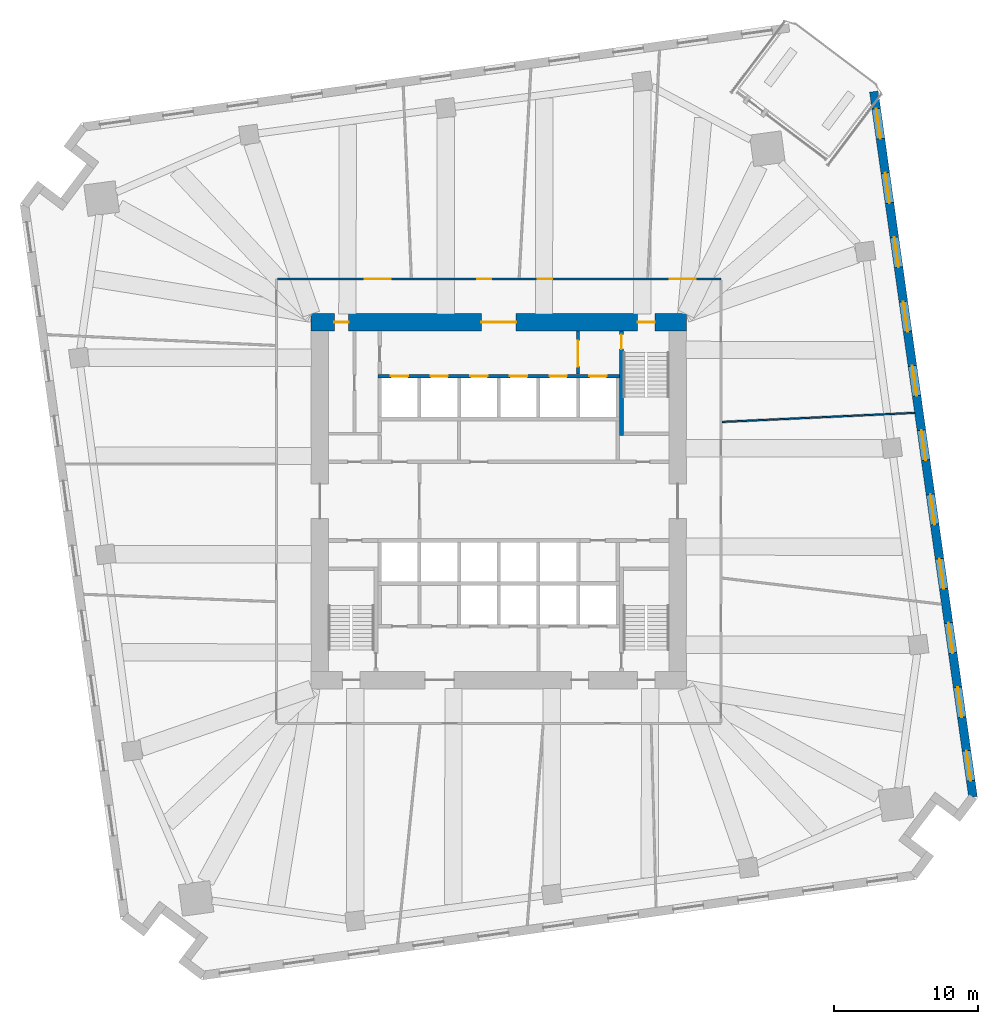
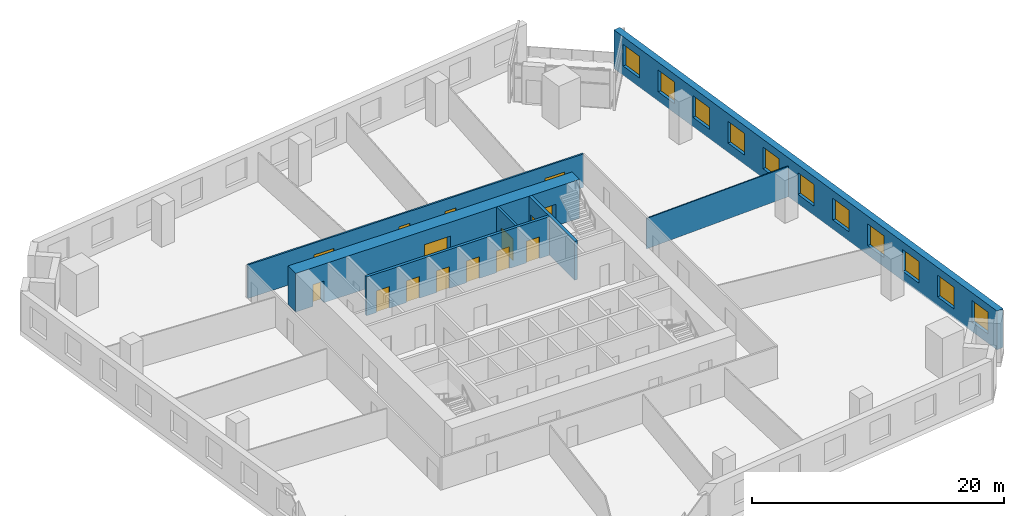
# One storey, part 9 of 12: 15 doors, 11 windows, 7 walls, 26 openings.
"""IFC4 building model written with IfcOpenShell, lengths in metres."""

import ifcopenshell
import ifcopenshell.guid

model = None  # the IFC model being written
_history = None  # IfcOwnerHistory: only IFC2X3 demands one
_inside = {}  # id of a spatial element -> (the spatial element, [elements in it])
_under = {}  # id of a project, library or spatial element -> (it, [spatial elements below it])
_declared = {}  # id of a project -> (the project, [libraries it declares])
_typed = {}  # id of a type object -> (the type object, [elements of that type])
_made_of = {}  # id of a material, layer set ... -> (it, [elements and type objects made of it])


def new_model(schema):
    """Start an empty IFC model of exactly this schema.

    Asked for "IFC4X3", IfcOpenShell would pick the latest addendum, in which some entities
    have other attributes; the version numbers below select the first issue.
    IFC2X3 requires an IfcOwnerHistory on every rooted entity: one is made here for all.
    """
    global model, _history
    if schema == "IFC4X3":
        model = ifcopenshell.file(schema_version=(4, 3, 0, 0))
    else:
        model = ifcopenshell.file(schema=schema)
    _inside.clear()
    _under.clear()
    _declared.clear()
    _typed.clear()
    _made_of.clear()
    _history = None
    if model.schema == "IFC2X3":
        org = make("IfcOrganization", Name="unknown")
        user = make(
            "IfcPersonAndOrganization",
            ThePerson=make("IfcPerson", FamilyName="unknown"),
            TheOrganization=org,
        )
        app = make(
            "IfcApplication",
            ApplicationDeveloper=org,
            Version="unknown",
            ApplicationFullName="unknown",
            ApplicationIdentifier="unknown",
        )
        _history = make(
            "IfcOwnerHistory",
            OwningUser=user,
            OwningApplication=app,
            ChangeAction="ADDED",
            CreationDate=0,
        )
    return model


def make(cls, **values):
    """One entity of the class cls with the attributes given. An attribute that is None is left unset."""
    return model.create_entity(
        cls, **{name: value for name, value in values.items() if value is not None}
    )


def rooted(cls, **values):
    """An entity with a GlobalId (a new one), such as an element, a storey or a relation."""
    return make(cls, GlobalId=ifcopenshell.guid.new(), OwnerHistory=_history, **values)


def si_unit(unit_type, name, prefix=None):
    """IfcSIUnit, for example si_unit("LENGTHUNIT", "METRE", prefix="MILLI")."""
    return make("IfcSIUnit", UnitType=unit_type, Prefix=prefix, Name=name)


def assignment(units):
    """IfcUnitAssignment: the units of a project."""
    return None if units is None else make("IfcUnitAssignment", Units=units)


def point(xyz):
    """IfcCartesianPoint."""
    return None if xyz is None else make("IfcCartesianPoint", Coordinates=xyz)


def direction(xyz):
    """IfcDirection."""
    return None if xyz is None else make("IfcDirection", DirectionRatios=xyz)


def frame(location, z_axis=None, x_axis=None):
    """IfcAxis2Placement3D, a coordinate frame: its origin and axes. An axis left out is left unset."""
    return make(
        "IfcAxis2Placement3D",
        Location=point(location),
        Axis=direction(z_axis),
        RefDirection=direction(x_axis),
    )


def frame_2d(location, x_axis=None):
    """IfcAxis2Placement2D, a coordinate frame in the plane: its origin and x axis."""
    return make(
        "IfcAxis2Placement2D", Location=point(location), RefDirection=direction(x_axis)
    )


def origin():
    """The frame at (0, 0, 0) with its axes left unset."""
    return frame((0.0, 0.0, 0.0))


def place(relative_to, where):
    """IfcLocalPlacement: puts the frame where relative to a parent placement (None: the world)."""
    return make(
        "IfcLocalPlacement", PlacementRelTo=relative_to, RelativePlacement=where
    )


def context(
    kind, dimensions, precision=None, world=None, true_north=None, identifier=None
):
    """IfcGeometricRepresentationContext, for example the 3D "Model" context."""
    return make(
        "IfcGeometricRepresentationContext",
        ContextIdentifier=identifier,
        ContextType=kind,
        CoordinateSpaceDimension=dimensions,
        Precision=precision,
        WorldCoordinateSystem=world,
        TrueNorth=true_north,
    )


def subcontext(parent, identifier, kind, view, scale=None):
    """IfcGeometricRepresentationSubContext, for example "Body" below "Model"."""
    return make(
        "IfcGeometricRepresentationSubContext",
        ContextIdentifier=identifier,
        ContextType=kind,
        ParentContext=parent,
        TargetScale=scale,
        TargetView=view,
    )


def project(units=None, contexts=None):
    """IfcProject with its units and contexts."""
    return rooted(
        "IfcProject",
        Name="project",
        RepresentationContexts=contexts,
        UnitsInContext=assignment(units),
    )


def spatial(cls, under=None, at=None, **own):
    """A site, building, storey or space (cls), placed at a placement, below another one or the project."""
    s = rooted(cls, ObjectPlacement=at, **own)
    if under is not None:
        _under.setdefault(under.id(), (under, []))[1].append(s)
    return s


def profile(cls, at=None, kind="AREA", **sizes):
    """A parametric profile (cls). Its sizes go by their IFC names, for example OverallWidth=200.0."""
    return make(cls, ProfileType=kind, Position=at, **sizes)


def rectangle(**sizes):
    """IfcRectangleProfileDef."""
    return profile("IfcRectangleProfileDef", **sizes)


def extrude(swept, where, along, depth):
    """IfcExtrudedAreaSolid: the profile swept, set in the frame where, extruded along a direction by depth."""
    return make(
        "IfcExtrudedAreaSolid",
        SweptArea=swept,
        Position=where,
        ExtrudedDirection=direction(along),
        Depth=depth,
    )


def shape(context_of_items, identifier, shape_type, items):
    """IfcShapeRepresentation: the items that make up one representation, for example the "Body"."""
    return make(
        "IfcShapeRepresentation",
        ContextOfItems=context_of_items,
        RepresentationIdentifier=identifier,
        RepresentationType=shape_type,
        Items=items,
    )


def material(Name=None, Category=None):
    """IfcMaterial."""
    return make("IfcMaterial", Name=Name, Category=Category)


def layer(
    of_material, thickness, ventilated=None, Name=None, Category=None, Priority=None
):
    """IfcMaterialLayer: one layer of a wall or slab, of a material (None: an air gap)."""
    return make(
        "IfcMaterialLayer",
        Material=of_material,
        LayerThickness=thickness,
        IsVentilated=ventilated,
        Name=Name,
        Category=Category,
        Priority=Priority,
    )


def layer_set(layers, Name=None):
    """IfcMaterialLayerSet."""
    return make("IfcMaterialLayerSet", MaterialLayers=layers, LayerSetName=Name)


def made_of(thing, what):
    """Note that an element or type object is made of a material, layer set ...; save() writes the relation."""
    if what is not None:
        _made_of.setdefault(what.id(), (what, []))[1].append(thing)
    return thing


def type_object(cls, material=None, **own):
    """A type object (cls), such as IfcWallType, which elements share."""
    return made_of(rooted(cls, **own), material)


def element(
    cls,
    number,
    at=None,
    inside=None,
    cuts=None,
    type_object=None,
    material=None,
    context=None,
    identifier="Body",
    shape_type=None,
    held_by="IfcProductDefinitionShape",
    body=None,
    shapes=None,
    **own,
):
    """One element of the class cls, such as IfcWall. Its Tag is "e" and its number.

    at: its placement. inside: the storey or other place that contains it. cuts: it is an
    opening in that element (IfcRelVoidsElement). A single representation is given by context,
    identifier, shape_type and body (its items); several are given by shapes. held_by: the class
    of the entity that holds the representations. save() writes the other relations.
    """
    e = rooted(cls, Tag="e%d" % number, ObjectPlacement=at, **own)
    if body is not None:
        shapes = [shape(context, identifier, shape_type, body)]
    if shapes is not None:
        e.Representation = make(held_by, Representations=shapes)
    if inside is not None:
        _inside.setdefault(inside.id(), (inside, []))[1].append(e)
    if cuts is not None:
        rooted(
            "IfcRelVoidsElement", RelatingBuildingElement=cuts, RelatedOpeningElement=e
        )
    if type_object is not None:
        _typed.setdefault(type_object.id(), (type_object, []))[1].append(e)
    return made_of(e, material)


def fill(opening, filler):
    """IfcRelFillsElement: the door or window that sits in an opening."""
    return rooted(
        "IfcRelFillsElement",
        RelatingOpeningElement=opening,
        RelatedBuildingElement=filler,
    )


def aggregate(whole, parts):
    """IfcRelAggregates: a whole, such as a stair, and the parts it consists of."""
    return rooted("IfcRelAggregates", RelatingObject=whole, RelatedObjects=parts)


def save(model, path):
    """Write the relations noted so far, then the file.

    IfcRelAggregates (storeys below a building ...), IfcRelContainedInSpatialStructure (elements
    in a storey), IfcRelDefinesByType, IfcRelAssociatesMaterial and IfcRelDeclares: one each for
    every whole, place, type object, material and project.
    """
    for whole, parts in _under.values():
        aggregate(whole, parts)
    for where, things in _inside.values():
        rooted(
            "IfcRelContainedInSpatialStructure",
            RelatedElements=things,
            RelatingStructure=where,
        )
    for kind, things in _typed.values():
        rooted("IfcRelDefinesByType", RelatedObjects=things, RelatingType=kind)
    for what, things in _made_of.values():
        rooted("IfcRelAssociatesMaterial", RelatedObjects=things, RelatingMaterial=what)
    for by, libraries in _declared.values():
        rooted("IfcRelDeclares", RelatingContext=by, RelatedDefinitions=libraries)
    model.write(path)


model = new_model("IFC4")

# Units and contexts
model_context = context("Model", 3, precision=1e-05, world=origin(), true_north=direction((0.0, 1.0)))
body_context = subcontext(model_context, "Body", "Model", "MODEL_VIEW")
ifc_project = project(units=[si_unit("LENGTHUNIT", "METRE"), si_unit("AREAUNIT", "SQUARE_METRE"), si_unit("VOLUMEUNIT", "CUBIC_METRE"), si_unit("PLANEANGLEUNIT", "RADIAN"), si_unit("MASSUNIT", "GRAM", prefix="KILO")], contexts=[model_context])

# Site, building, storey
site_placement = place(None, origin())
site = spatial("IfcSite", under=ifc_project, at=site_placement, CompositionType="ELEMENT")
building_placement = place(site_placement, origin())
building = spatial("IfcBuilding", under=site, at=building_placement, Name="Dilmun Exchange Tower", CompositionType="ELEMENT")
storey_placement = place(building_placement, frame((0.0, 0.0, 55.5)))
storey = spatial("IfcBuildingStorey", under=building, at=storey_placement, Name="L12", CompositionType="ELEMENT", Elevation=55.5)

# Wall, opening, door
ifc_material_1 = material(Name="Concrete C40/50", Category="concrete")
ifc_layer_1 = layer(ifc_material_1, 0.199951171875)
ifc_layer_set_1 = layer_set([ifc_layer_1], Name="Concrete C40/50")
wall_type_1 = type_object("IfcWallType", Name="Core partition wall 200", PredefinedType="PARTITIONING", material=ifc_layer_set_1)
wall_1_placement = place(storey_placement, frame((5.5, 8.804931640625, 0.0), z_axis=(0.0, 0.0, 1.0), x_axis=(0.0, 1.0, 0.0)))
wall_1 = element("IfcWall", 1, at=wall_1_placement, inside=storey, type_object=wall_type_1, Name="L12 core partition wall 17", PredefinedType="PARTITIONING", context=body_context, shape_type="SweptSolid", body=[
    extrude(rectangle(XDim=2.989990234375, YDim=0.199951171875, at=frame_2d((1.4951171875, 0.0))), origin(), (0.0, 0.0, 1.0), 3.75),
])
opening_1_placement = place(wall_1_placement, frame((0.532470703125, 0.0, 0.0)))
opening_1 = element("IfcOpeningElement", 2, at=opening_1_placement, cuts=wall_1, Name="Opening CD5", PredefinedType="OPENING", context=body_context, shape_type="SweptSolid", body=[
    extrude(rectangle(XDim=1.800048828125, YDim=2.10009765625, at=frame_2d((0.89990234375, 1.050048828125))), frame((0.0, 0.10986328125, 0.0), z_axis=(0.0, -1.0, 0.0), x_axis=(1.0, 0.0, 0.0)), (0.0, 0.0, 1.0), 0.219970703125),
])
ifc_material_2 = material(Name="Fire-rated steel door set", Category="steel")
door_type_1 = type_object("IfcDoorType", Name="Stair exit door 1800x2100", OperationType="SINGLE_SWING_LEFT", PredefinedType="DOOR", material=ifc_material_2)
door_1_placement = place(opening_1_placement, origin())
door_1 = element("IfcDoor", 3, at=door_1_placement, inside=storey, type_object=door_type_1, Name="L12 door Lift lobby east", OperationType="SINGLE_SWING_LEFT", OverallHeight=2.10009765625, OverallWidth=1.800048828125, PredefinedType="DOOR", context=body_context, shape_type="SweptSolid", body=[
    extrude(rectangle(XDim=1.800048828125, YDim=2.10009765625, at=frame_2d((0.89990234375, 1.050048828125))), frame((0.0, 0.02490234375, 0.0), z_axis=(0.0, -1.0, 0.0), x_axis=(1.0, 0.0, 0.0)), (0.0, 0.0, 1.0), 0.050048828125),
])
fill(opening_1, door_1)

# Wall, openings, doors
ifc_material_3 = material(Name="Concrete C80/95", Category="concrete")
ifc_layer_2 = layer(ifc_material_3, 1.199951171875)
ifc_layer_set_2 = layer_set([ifc_layer_2], Name="Concrete C80/95")
wall_type_2 = type_object("IfcWallType", Name="Core shear wall 1200 Concrete C80/95", PredefinedType="SHEAR", material=ifc_layer_set_2)
wall_2_placement = place(storey_placement, frame((-13.0, 12.39990234375, 0.0), z_axis=(0.0, 0.0, 1.0), x_axis=(1.0, 0.0, 0.0)))
wall_2 = element("IfcWall", 4, at=wall_2_placement, inside=storey, type_object=wall_type_2, Name="L12 core shear wall N", PredefinedType="SHEAR", context=body_context, shape_type="SweptSolid", body=[
    extrude(rectangle(XDim=26.0, YDim=1.199951171875, at=frame_2d((13.0, 0.0))), origin(), (0.0, 0.0, 1.0), 3.75),
])
opening_2_placement = place(wall_2_placement, frame((11.800048828125, 0.0, 0.0)))
opening_2 = element("IfcOpeningElement", 5, at=opening_2_placement, cuts=wall_2, Name="Opening CD1", PredefinedType="OPENING", context=body_context, shape_type="SweptSolid", body=[
    extrude(rectangle(XDim=2.39990234375, YDim=2.39990234375, at=frame_2d((1.199951171875, 1.199951171875))), frame((0.0, 0.60986328125, 0.0), z_axis=(0.0, -1.0, 0.0), x_axis=(1.0, 0.0, 0.0)), (0.0, 0.0, 1.0), 1.219970703125),
])
opening_3_placement = place(wall_2_placement, frame((22.625, 0.0, 0.0)))
opening_3 = element("IfcOpeningElement", 6, at=opening_3_placement, cuts=wall_2, Name="Opening CD3", PredefinedType="OPENING", context=body_context, shape_type="SweptSolid", body=[
    extrude(rectangle(XDim=1.199951171875, YDim=2.10009765625, at=frame_2d((0.60009765625, 1.050048828125))), frame((0.0, 0.60986328125, 0.0), z_axis=(0.0, -1.0, 0.0), x_axis=(1.0, 0.0, 0.0)), (0.0, 0.0, 1.0), 1.219970703125),
])
opening_4_placement = place(wall_2_placement, frame((1.60009765625, 0.0, 0.0)))
opening_4 = element("IfcOpeningElement", 7, at=opening_4_placement, cuts=wall_2, Name="Opening CD4", PredefinedType="OPENING", context=body_context, shape_type="SweptSolid", body=[
    extrude(rectangle(XDim=1.0, YDim=2.10009765625, at=frame_2d((0.5, 1.050048828125))), frame((0.0, 0.60986328125, 0.0), z_axis=(0.0, -1.0, 0.0), x_axis=(1.0, 0.0, 0.0)), (0.0, 0.0, 1.0), 1.219970703125),
])
door_type_2 = type_object("IfcDoorType", Name="Core lobby door 2400x2400", OperationType="DOUBLE_DOOR_DOUBLE_SWING", PredefinedType="DOOR", material=ifc_material_2)
door_2_placement = place(opening_2_placement, origin())
door_2 = element("IfcDoor", 8, at=door_2_placement, inside=storey, type_object=door_type_2, Name="L12 door North lift lobby", OperationType="SINGLE_SWING_LEFT", OverallHeight=2.39990234375, OverallWidth=2.39990234375, PredefinedType="DOOR", context=body_context, shape_type="SweptSolid", body=[
    extrude(rectangle(XDim=2.39990234375, YDim=2.39990234375, at=frame_2d((1.199951171875, 1.199951171875))), frame((0.0, 0.02490234375, 0.0), z_axis=(0.0, -1.0, 0.0), x_axis=(1.0, 0.0, 0.0)), (0.0, 0.0, 1.0), 0.050048828125),
])
fill(opening_2, door_2)
door_type_3 = type_object("IfcDoorType", Name="Core room door 1000x2100", OperationType="SINGLE_SWING_LEFT", PredefinedType="DOOR", material=ifc_material_2)
door_3_placement = place(opening_4_placement, origin())
door_3 = element("IfcDoor", 9, at=door_3_placement, inside=storey, type_object=door_type_3, Name="L12 door North-west core rooms", OperationType="SINGLE_SWING_LEFT", OverallHeight=2.10009765625, OverallWidth=1.0, PredefinedType="DOOR", context=body_context, shape_type="SweptSolid", body=[
    extrude(rectangle(XDim=1.0, YDim=2.10009765625, at=frame_2d((0.5, 1.050048828125))), frame((0.0, 0.02490234375, 0.0), z_axis=(0.0, -1.0, 0.0), x_axis=(1.0, 0.0, 0.0)), (0.0, 0.0, 1.0), 0.050048828125),
])
fill(opening_4, door_3)
door_type_4 = type_object("IfcDoorType", Name="Stair exit door 1200x2100", OperationType="SINGLE_SWING_LEFT", PredefinedType="DOOR", material=ifc_material_2)
door_4_placement = place(opening_3_placement, origin())
door_4 = element("IfcDoor", 10, at=door_4_placement, inside=storey, type_object=door_type_4, Name="L12 door Stair ST1", OperationType="SINGLE_SWING_LEFT", OverallHeight=2.10009765625, OverallWidth=1.199951171875, PredefinedType="DOOR", context=body_context, shape_type="SweptSolid", body=[
    extrude(rectangle(XDim=1.199951171875, YDim=2.10009765625, at=frame_2d((0.60009765625, 1.050048828125))), frame((0.0, 0.02490234375, 0.0), z_axis=(0.0, -1.0, 0.0), x_axis=(1.0, 0.0, 0.0)), (0.0, 0.0, 1.0), 0.050048828125),
])
fill(opening_3, door_4)

ifc_material_4 = material(Name="Corridor wall 150")
ifc_layer_3 = layer(ifc_material_4, 0.14990234375)
ifc_layer_set_3 = layer_set([ifc_layer_3], Name="Corridor wall 150")
wall_type_3 = type_object("IfcWallType", Name="Corridor wall 150", PredefinedType="PARTITIONING", material=ifc_layer_set_3)
wall_3_placement = place(storey_placement, frame((-15.324951171875, 15.39990234375, 0.0), z_axis=(0.0, 0.0, 1.0), x_axis=(1.0, 0.0, 0.0)))
wall_3 = element("IfcWall", 11, at=wall_3_placement, inside=storey, type_object=wall_type_3, Name="Corridor wall", PredefinedType="PARTITIONING", context=body_context, shape_type="SweptSolid", body=[
    extrude(rectangle(XDim=30.724853515625, YDim=0.14990234375, at=frame_2d((15.3623046875, 0.0))), origin(), (0.0, 0.0, 1.0), 3.25),
])
opening_5_placement = place(wall_3_placement, frame((6.050048828125, 0.0, 0.0)))
opening_5 = element("IfcOpeningElement", 12, at=opening_5_placement, cuts=wall_3, Name="Opening TF11-D03", PredefinedType="OPENING", context=body_context, shape_type="SweptSolid", body=[
    extrude(rectangle(XDim=1.800048828125, YDim=2.10009765625, at=frame_2d((0.89990234375, 1.050048828125))), frame((0.0, 0.0849609375, 0.0), z_axis=(0.0, -1.0, 0.0), x_axis=(1.0, 0.0, 0.0)), (0.0, 0.0, 1.0), 0.169921875),
])
opening_6_placement = place(wall_3_placement, frame((13.81640625, 0.0, 0.0)))
opening_6 = element("IfcOpeningElement", 13, at=opening_6_placement, cuts=wall_3, Name="Opening TF11-D07", PredefinedType="OPENING", context=body_context, shape_type="SweptSolid", body=[
    extrude(rectangle(XDim=1.0, YDim=2.10009765625, at=frame_2d((0.5, 1.050048828125))), frame((0.0, 0.0849609375, 0.0), z_axis=(0.0, -1.0, 0.0), x_axis=(1.0, 0.0, 0.0)), (0.0, 0.0, 1.0), 0.169921875),
])
opening_7_placement = place(wall_3_placement, frame((18.0341796875, 0.0, 0.0)))
opening_7 = element("IfcOpeningElement", 14, at=opening_7_placement, cuts=wall_3, Name="Opening TF11-D09", PredefinedType="OPENING", context=body_context, shape_type="SweptSolid", body=[
    extrude(rectangle(XDim=1.0, YDim=2.10009765625, at=frame_2d((0.5, 1.050048828125))), frame((0.0, 0.0849609375, 0.0), z_axis=(0.0, -1.0, 0.0), x_axis=(1.0, 0.0, 0.0)), (0.0, 0.0, 1.0), 0.169921875),
])
opening_8_placement = place(wall_3_placement, frame((27.192626953125, 0.0, 0.0)))
opening_8 = element("IfcOpeningElement", 15, at=opening_8_placement, cuts=wall_3, Name="Opening TF11-D11", PredefinedType="OPENING", context=body_context, shape_type="SweptSolid", body=[
    extrude(rectangle(XDim=1.800048828125, YDim=2.10009765625, at=frame_2d((0.89990234375, 1.050048828125))), frame((0.0, 0.0849609375, 0.0), z_axis=(0.0, -1.0, 0.0), x_axis=(1.0, 0.0, 0.0)), (0.0, 0.0, 1.0), 0.169921875),
])
ifc_material_5 = material(Name="Fire door 1000 x 2100")
door_type_5 = type_object("IfcDoorType", Name="Fire door 1000 x 2100", OperationType="NOTDEFINED", PredefinedType="DOOR", material=ifc_material_5)
door_5_placement = place(opening_6_placement, origin())
door_5 = element("IfcDoor", 16, at=door_5_placement, inside=storey, type_object=door_type_5, Name="Door TF11-D07", OperationType="SINGLE_SWING_RIGHT", OverallHeight=2.10009765625, OverallWidth=1.0, PredefinedType="DOOR", context=body_context, shape_type="SweptSolid", body=[
    extrude(rectangle(XDim=1.0, YDim=2.10009765625, at=frame_2d((0.5, 1.050048828125))), frame((0.0, 0.02490234375, 0.0), z_axis=(0.0, -1.0, 0.0), x_axis=(1.0, 0.0, 0.0)), (0.0, 0.0, 1.0), 0.050048828125),
])
fill(opening_6, door_5)
door_6_placement = place(opening_7_placement, origin())
door_6 = element("IfcDoor", 17, at=door_6_placement, inside=storey, type_object=door_type_5, Name="Door TF11-D09", OperationType="SINGLE_SWING_LEFT", OverallHeight=2.10009765625, OverallWidth=1.0, PredefinedType="DOOR", context=body_context, shape_type="SweptSolid", body=[
    extrude(rectangle(XDim=1.0, YDim=2.10009765625, at=frame_2d((0.5, 1.050048828125))), frame((0.0, 0.02490234375, 0.0), z_axis=(0.0, -1.0, 0.0), x_axis=(1.0, 0.0, 0.0)), (0.0, 0.0, 1.0), 0.050048828125),
])
fill(opening_7, door_6)
ifc_material_6 = material(Name="Fire door pair 1800 x 2100")
door_type_6 = type_object("IfcDoorType", Name="Fire door pair 1800 x 2100", OperationType="NOTDEFINED", PredefinedType="DOOR", material=ifc_material_6)
door_7_placement = place(opening_5_placement, origin())
door_7 = element("IfcDoor", 18, at=door_7_placement, inside=storey, type_object=door_type_6, Name="Door TF11-D03", OperationType="DOUBLE_DOOR_SINGLE_SWING", OverallHeight=2.10009765625, OverallWidth=1.800048828125, PredefinedType="DOOR", context=body_context, shape_type="SweptSolid", body=[
    extrude(rectangle(XDim=1.800048828125, YDim=2.10009765625, at=frame_2d((0.89990234375, 1.050048828125))), frame((0.0, 0.02490234375, 0.0), z_axis=(0.0, -1.0, 0.0), x_axis=(1.0, 0.0, 0.0)), (0.0, 0.0, 1.0), 0.050048828125),
])
fill(opening_5, door_7)
door_8_placement = place(opening_8_placement, origin())
door_8 = element("IfcDoor", 19, at=door_8_placement, inside=storey, type_object=door_type_6, Name="Door TF11-D11", OperationType="DOUBLE_DOOR_SINGLE_SWING", OverallHeight=2.10009765625, OverallWidth=1.800048828125, PredefinedType="DOOR", context=body_context, shape_type="SweptSolid", body=[
    extrude(rectangle(XDim=1.800048828125, YDim=2.10009765625, at=frame_2d((0.89990234375, 1.050048828125))), frame((0.0, 0.02490234375, 0.0), z_axis=(0.0, -1.0, 0.0), x_axis=(1.0, 0.0, 0.0)), (0.0, 0.0, 1.0), 0.050048828125),
])
fill(opening_8, door_8)

ifc_layer_4 = layer(ifc_material_1, 0.25)
ifc_layer_set_4 = layer_set([ifc_layer_4], Name="Concrete C40/50")
wall_type_4 = type_object("IfcWallType", Name="Lift shaft wall 250", PredefinedType="SOLIDWALL", material=ifc_layer_set_4)
wall_4_placement = place(storey_placement, frame((-8.375, 8.675048828125, 0.0), z_axis=(0.0, 0.0, 1.0), x_axis=(1.0, 0.0, 0.0)))
wall_4 = element("IfcWall", 20, at=wall_4_placement, inside=storey, type_object=wall_type_4, Name="L12 lift shaft front wall N2", PredefinedType="SOLIDWALL", context=body_context, shape_type="SweptSolid", body=[
    extrude(rectangle(XDim=16.75, YDim=0.25, at=frame_2d((8.375, 0.0))), origin(), (0.0, 0.0, 1.0), 3.75),
])
opening_9_placement = place(wall_4_placement, frame((0.89990234375, 0.0, 0.0)))
opening_9 = element("IfcOpeningElement", 21, at=opening_9_placement, cuts=wall_4, Name="Opening LD", PredefinedType="OPENING", context=body_context, shape_type="SweptSolid", body=[
    extrude(rectangle(XDim=1.199951171875, YDim=2.10009765625, at=frame_2d((0.60009765625, 1.050048828125))), frame((0.0, 0.135009765625, 0.0), z_axis=(0.0, -1.0, 0.0), x_axis=(1.0, 0.0, 0.0)), (0.0, 0.0, 1.0), 0.27001953125),
])
opening_10_placement = place(wall_4_placement, frame((3.64990234375, 0.0, 0.0)))
opening_10 = element("IfcOpeningElement", 22, at=opening_10_placement, cuts=wall_4, Name="Opening LD", PredefinedType="OPENING", context=body_context, shape_type="SweptSolid", body=[
    extrude(rectangle(XDim=1.199951171875, YDim=2.10009765625, at=frame_2d((0.60009765625, 1.050048828125))), frame((0.0, 0.135009765625, 0.0), z_axis=(0.0, -1.0, 0.0), x_axis=(1.0, 0.0, 0.0)), (0.0, 0.0, 1.0), 0.27001953125),
])
opening_11_placement = place(wall_4_placement, frame((6.39990234375, 0.0, 0.0)))
opening_11 = element("IfcOpeningElement", 23, at=opening_11_placement, cuts=wall_4, Name="Opening LD", PredefinedType="OPENING", context=body_context, shape_type="SweptSolid", body=[
    extrude(rectangle(XDim=1.199951171875, YDim=2.10009765625, at=frame_2d((0.60009765625, 1.050048828125))), frame((0.0, 0.135009765625, 0.0), z_axis=(0.0, -1.0, 0.0), x_axis=(1.0, 0.0, 0.0)), (0.0, 0.0, 1.0), 0.27001953125),
])
opening_12_placement = place(wall_4_placement, frame((9.14990234375, 0.0, 0.0)))
opening_12 = element("IfcOpeningElement", 24, at=opening_12_placement, cuts=wall_4, Name="Opening LD", PredefinedType="OPENING", context=body_context, shape_type="SweptSolid", body=[
    extrude(rectangle(XDim=1.199951171875, YDim=2.10009765625, at=frame_2d((0.60009765625, 1.050048828125))), frame((0.0, 0.135009765625, 0.0), z_axis=(0.0, -1.0, 0.0), x_axis=(1.0, 0.0, 0.0)), (0.0, 0.0, 1.0), 0.27001953125),
])
opening_13_placement = place(wall_4_placement, frame((11.89990234375, 0.0, 0.0)))
opening_13 = element("IfcOpeningElement", 25, at=opening_13_placement, cuts=wall_4, Name="Opening LD", PredefinedType="OPENING", context=body_context, shape_type="SweptSolid", body=[
    extrude(rectangle(XDim=1.199951171875, YDim=2.10009765625, at=frame_2d((0.60009765625, 1.050048828125))), frame((0.0, 0.135009765625, 0.0), z_axis=(0.0, -1.0, 0.0), x_axis=(1.0, 0.0, 0.0)), (0.0, 0.0, 1.0), 0.27001953125),
])
opening_14_placement = place(wall_4_placement, frame((14.64990234375, 0.0, 0.0)))
opening_14 = element("IfcOpeningElement", 26, at=opening_14_placement, cuts=wall_4, Name="Opening LD", PredefinedType="OPENING", context=body_context, shape_type="SweptSolid", body=[
    extrude(rectangle(XDim=1.199951171875, YDim=2.10009765625, at=frame_2d((0.60009765625, 1.050048828125))), frame((0.0, 0.135009765625, 0.0), z_axis=(0.0, -1.0, 0.0), x_axis=(1.0, 0.0, 0.0)), (0.0, 0.0, 1.0), 0.27001953125),
])
door_type_7 = type_object("IfcDoorType", Name="Lift landing door 1200x2100", OperationType="DOUBLE_DOOR_SLIDING", PredefinedType="DOOR", material=ifc_material_2)
door_9_placement = place(opening_9_placement, origin())
door_9 = element("IfcDoor", 27, at=door_9_placement, inside=storey, type_object=door_type_7, Name="L12 landing door LR1", OperationType="DOUBLE_DOOR_SLIDING", OverallHeight=2.10009765625, OverallWidth=1.199951171875, PredefinedType="DOOR", context=body_context, shape_type="SweptSolid", body=[
    extrude(rectangle(XDim=1.199951171875, YDim=2.10009765625, at=frame_2d((0.60009765625, 1.050048828125))), frame((0.0, 0.02490234375, 0.0), z_axis=(0.0, -1.0, 0.0), x_axis=(1.0, 0.0, 0.0)), (0.0, 0.0, 1.0), 0.050048828125),
])
fill(opening_9, door_9)
door_10_placement = place(opening_10_placement, origin())
door_10 = element("IfcDoor", 28, at=door_10_placement, inside=storey, type_object=door_type_7, Name="L12 landing door LR2", OperationType="DOUBLE_DOOR_SLIDING", OverallHeight=2.10009765625, OverallWidth=1.199951171875, PredefinedType="DOOR", context=body_context, shape_type="SweptSolid", body=[
    extrude(rectangle(XDim=1.199951171875, YDim=2.10009765625, at=frame_2d((0.60009765625, 1.050048828125))), frame((0.0, 0.02490234375, 0.0), z_axis=(0.0, -1.0, 0.0), x_axis=(1.0, 0.0, 0.0)), (0.0, 0.0, 1.0), 0.050048828125),
])
fill(opening_10, door_10)
door_11_placement = place(opening_11_placement, origin())
door_11 = element("IfcDoor", 29, at=door_11_placement, inside=storey, type_object=door_type_7, Name="L12 landing door LR3", OperationType="DOUBLE_DOOR_SLIDING", OverallHeight=2.10009765625, OverallWidth=1.199951171875, PredefinedType="DOOR", context=body_context, shape_type="SweptSolid", body=[
    extrude(rectangle(XDim=1.199951171875, YDim=2.10009765625, at=frame_2d((0.60009765625, 1.050048828125))), frame((0.0, 0.02490234375, 0.0), z_axis=(0.0, -1.0, 0.0), x_axis=(1.0, 0.0, 0.0)), (0.0, 0.0, 1.0), 0.050048828125),
])
fill(opening_11, door_11)
door_12_placement = place(opening_12_placement, origin())
door_12 = element("IfcDoor", 30, at=door_12_placement, inside=storey, type_object=door_type_7, Name="L12 landing door LR4", OperationType="DOUBLE_DOOR_SLIDING", OverallHeight=2.10009765625, OverallWidth=1.199951171875, PredefinedType="DOOR", context=body_context, shape_type="SweptSolid", body=[
    extrude(rectangle(XDim=1.199951171875, YDim=2.10009765625, at=frame_2d((0.60009765625, 1.050048828125))), frame((0.0, 0.02490234375, 0.0), z_axis=(0.0, -1.0, 0.0), x_axis=(1.0, 0.0, 0.0)), (0.0, 0.0, 1.0), 0.050048828125),
])
fill(opening_12, door_12)
door_13_placement = place(opening_13_placement, origin())
door_13 = element("IfcDoor", 31, at=door_13_placement, inside=storey, type_object=door_type_7, Name="L12 landing door LR5", OperationType="DOUBLE_DOOR_SLIDING", OverallHeight=2.10009765625, OverallWidth=1.199951171875, PredefinedType="DOOR", context=body_context, shape_type="SweptSolid", body=[
    extrude(rectangle(XDim=1.199951171875, YDim=2.10009765625, at=frame_2d((0.60009765625, 1.050048828125))), frame((0.0, 0.02490234375, 0.0), z_axis=(0.0, -1.0, 0.0), x_axis=(1.0, 0.0, 0.0)), (0.0, 0.0, 1.0), 0.050048828125),
])
fill(opening_13, door_13)
door_14_placement = place(opening_14_placement, origin())
door_14 = element("IfcDoor", 32, at=door_14_placement, inside=storey, type_object=door_type_7, Name="L12 landing door LR6", OperationType="DOUBLE_DOOR_SLIDING", OverallHeight=2.10009765625, OverallWidth=1.199951171875, PredefinedType="DOOR", context=body_context, shape_type="SweptSolid", body=[
    extrude(rectangle(XDim=1.199951171875, YDim=2.10009765625, at=frame_2d((0.60009765625, 1.050048828125))), frame((0.0, 0.02490234375, 0.0), z_axis=(0.0, -1.0, 0.0), x_axis=(1.0, 0.0, 0.0)), (0.0, 0.0, 1.0), 0.050048828125),
])
fill(opening_14, door_14)

# Wall
ifc_material_7 = material(Name="Partition 100")
ifc_layer_5 = layer(ifc_material_7, 0.10009765625)
ifc_layer_set_5 = layer_set([ifc_layer_5], Name="Partition 100")
wall_type_5 = type_object("IfcWallType", Name="Partition 100", PredefinedType="PARTITIONING", material=ifc_layer_set_5)
wall_5_placement = place(storey_placement, frame((15.477294921875, 5.49658203125, 0.0), z_axis=(0.0, 0.0, 1.0), x_axis=(0.998885062174, 0.047208395074, 0.0)))
element("IfcWall", 33, at=wall_5_placement, inside=storey, type_object=wall_type_5, Name="Partition", PredefinedType="PARTITIONING", context=body_context, shape_type="SweptSolid", body=[
    extrude(rectangle(XDim=13.36328125, YDim=0.10009765625, at=frame_2d((6.681640625, 0.0))), origin(), (0.0, 0.0, 1.0), 2.949951171875),
])

# Wall, openings, windows
ifc_material_8 = material(Name="Precast concrete C50/60", Category="concrete")
ifc_layer_6 = layer(ifc_material_8, 0.60009765625)
ifc_layer_set_6 = layer_set([ifc_layer_6], Name="Precast concrete C50/60")
wall_type_6 = type_object("IfcWallType", Name="Precast stone-clad wall 600", PredefinedType="STANDARD", material=ifc_layer_set_6)
wall_6_placement = place(storey_placement, frame((32.873046875, -20.500244140625, 0.0), z_axis=(0.0, 0.0, 1.0), x_axis=(-0.139173994734, 0.990267943129, 0.0)))
wall_6 = element("IfcWall", 34, at=wall_6_placement, inside=storey, type_object=wall_type_6, Name="Facade wall L12-21", PredefinedType="STANDARD", context=body_context, shape_type="SweptSolid", body=[
    extrude(rectangle(XDim=49.375732421875, YDim=0.60009765625, at=frame_2d((24.68798828125, 0.0))), origin(), (0.0, 0.0, 1.0), 3.75),
])
opening_15_placement = place(wall_6_placement, frame((1.137939453125, 0.0, 0.89990234375)))
opening_15 = element("IfcOpeningElement", 35, at=opening_15_placement, cuts=wall_6, Name="Opening W210-210", PredefinedType="OPENING", context=body_context, shape_type="SweptSolid", body=[
    extrude(rectangle(XDim=2.10009765625, YDim=2.10009765625, at=frame_2d((1.050048828125, 1.050048828125))), frame((0.0, 0.31005859375, 0.0), z_axis=(0.0, -1.0, 0.0), x_axis=(1.0, 0.0, 0.0)), (0.0, 0.0, 1.0), 0.6201171875),
])
opening_16_placement = place(wall_6_placement, frame((5.57568359375, 0.0, 0.89990234375)))
opening_16 = element("IfcOpeningElement", 36, at=opening_16_placement, cuts=wall_6, Name="Opening W210-210", PredefinedType="OPENING", context=body_context, shape_type="SweptSolid", body=[
    extrude(rectangle(XDim=2.10009765625, YDim=2.10009765625, at=frame_2d((1.050048828125, 1.050048828125))), frame((0.0, 0.31005859375, 0.0), z_axis=(0.0, -1.0, 0.0), x_axis=(1.0, 0.0, 0.0)), (0.0, 0.0, 1.0), 0.6201171875),
])
opening_17_placement = place(wall_6_placement, frame((10.07568359375, 0.0, 0.89990234375)))
opening_17 = element("IfcOpeningElement", 37, at=opening_17_placement, cuts=wall_6, Name="Opening W210-210", PredefinedType="OPENING", context=body_context, shape_type="SweptSolid", body=[
    extrude(rectangle(XDim=2.10009765625, YDim=2.10009765625, at=frame_2d((1.050048828125, 1.050048828125))), frame((0.0, 0.31005859375, 0.0), z_axis=(0.0, -1.0, 0.0), x_axis=(1.0, 0.0, 0.0)), (0.0, 0.0, 1.0), 0.6201171875),
])
opening_18_placement = place(wall_6_placement, frame((14.57568359375, 0.0, 0.89990234375)))
opening_18 = element("IfcOpeningElement", 38, at=opening_18_placement, cuts=wall_6, Name="Opening W210-210", PredefinedType="OPENING", context=body_context, shape_type="SweptSolid", body=[
    extrude(rectangle(XDim=2.10009765625, YDim=2.10009765625, at=frame_2d((1.050048828125, 1.050048828125))), frame((0.0, 0.31005859375, 0.0), z_axis=(0.0, -1.0, 0.0), x_axis=(1.0, 0.0, 0.0)), (0.0, 0.0, 1.0), 0.6201171875),
])
opening_19_placement = place(wall_6_placement, frame((19.07568359375, 0.0, 0.89990234375)))
opening_19 = element("IfcOpeningElement", 39, at=opening_19_placement, cuts=wall_6, Name="Opening W210-210", PredefinedType="OPENING", context=body_context, shape_type="SweptSolid", body=[
    extrude(rectangle(XDim=2.10009765625, YDim=2.10009765625, at=frame_2d((1.050048828125, 1.050048828125))), frame((0.0, 0.31005859375, 0.0), z_axis=(0.0, -1.0, 0.0), x_axis=(1.0, 0.0, 0.0)), (0.0, 0.0, 1.0), 0.6201171875),
])
opening_20_placement = place(wall_6_placement, frame((23.57568359375, 0.0, 0.89990234375)))
opening_20 = element("IfcOpeningElement", 40, at=opening_20_placement, cuts=wall_6, Name="Opening W210-210", PredefinedType="OPENING", context=body_context, shape_type="SweptSolid", body=[
    extrude(rectangle(XDim=2.10009765625, YDim=2.10009765625, at=frame_2d((1.050048828125, 1.050048828125))), frame((0.0, 0.31005859375, 0.0), z_axis=(0.0, -1.0, 0.0), x_axis=(1.0, 0.0, 0.0)), (0.0, 0.0, 1.0), 0.6201171875),
])
opening_21_placement = place(wall_6_placement, frame((28.07568359375, 0.0, 0.89990234375)))
opening_21 = element("IfcOpeningElement", 41, at=opening_21_placement, cuts=wall_6, Name="Opening W210-210", PredefinedType="OPENING", context=body_context, shape_type="SweptSolid", body=[
    extrude(rectangle(XDim=2.10009765625, YDim=2.10009765625, at=frame_2d((1.050048828125, 1.050048828125))), frame((0.0, 0.31005859375, 0.0), z_axis=(0.0, -1.0, 0.0), x_axis=(1.0, 0.0, 0.0)), (0.0, 0.0, 1.0), 0.6201171875),
])
opening_22_placement = place(wall_6_placement, frame((32.57568359375, 0.0, 0.89990234375)))
opening_22 = element("IfcOpeningElement", 42, at=opening_22_placement, cuts=wall_6, Name="Opening W210-210", PredefinedType="OPENING", context=body_context, shape_type="SweptSolid", body=[
    extrude(rectangle(XDim=2.10009765625, YDim=2.10009765625, at=frame_2d((1.050048828125, 1.050048828125))), frame((0.0, 0.31005859375, 0.0), z_axis=(0.0, -1.0, 0.0), x_axis=(1.0, 0.0, 0.0)), (0.0, 0.0, 1.0), 0.6201171875),
])
opening_23_placement = place(wall_6_placement, frame((37.07568359375, 0.0, 0.89990234375)))
opening_23 = element("IfcOpeningElement", 43, at=opening_23_placement, cuts=wall_6, Name="Opening W210-210", PredefinedType="OPENING", context=body_context, shape_type="SweptSolid", body=[
    extrude(rectangle(XDim=2.10009765625, YDim=2.10009765625, at=frame_2d((1.050048828125, 1.050048828125))), frame((0.0, 0.31005859375, 0.0), z_axis=(0.0, -1.0, 0.0), x_axis=(1.0, 0.0, 0.0)), (0.0, 0.0, 1.0), 0.6201171875),
])
opening_24_placement = place(wall_6_placement, frame((41.57568359375, 0.0, 0.89990234375)))
opening_24 = element("IfcOpeningElement", 44, at=opening_24_placement, cuts=wall_6, Name="Opening W210-210", PredefinedType="OPENING", context=body_context, shape_type="SweptSolid", body=[
    extrude(rectangle(XDim=2.10009765625, YDim=2.10009765625, at=frame_2d((1.050048828125, 1.050048828125))), frame((0.0, 0.31005859375, 0.0), z_axis=(0.0, -1.0, 0.0), x_axis=(1.0, 0.0, 0.0)), (0.0, 0.0, 1.0), 0.6201171875),
])
opening_25_placement = place(wall_6_placement, frame((46.07568359375, 0.0, 0.89990234375)))
opening_25 = element("IfcOpeningElement", 45, at=opening_25_placement, cuts=wall_6, Name="Opening W210-210", PredefinedType="OPENING", context=body_context, shape_type="SweptSolid", body=[
    extrude(rectangle(XDim=2.10009765625, YDim=2.10009765625, at=frame_2d((1.050048828125, 1.050048828125))), frame((0.0, 0.31005859375, 0.0), z_axis=(0.0, -1.0, 0.0), x_axis=(1.0, 0.0, 0.0)), (0.0, 0.0, 1.0), 0.6201171875),
])
ifc_material_9 = material(Name="Clear low-emissivity glass in aluminium frame", Category="aluminium")
window_type = type_object("IfcWindowType", Name="Punched window 2100 x 2100", PartitioningType="DOUBLE_PANEL_VERTICAL", PredefinedType="WINDOW", material=ifc_material_9)
window_1_placement = place(opening_15_placement, origin())
window_1 = element("IfcWindow", 46, at=window_1_placement, inside=storey, type_object=window_type, Name="Window 22.1", OverallHeight=2.10009765625, OverallWidth=2.10009765625, PartitioningType="SINGLE_PANEL", PredefinedType="WINDOW", context=body_context, shape_type="SweptSolid", body=[
    extrude(rectangle(XDim=2.10009765625, YDim=2.10009765625, at=frame_2d((1.050048828125, 1.050048828125))), frame((0.0, 0.030029296875, 0.0), z_axis=(0.0, -1.0, 0.0), x_axis=(1.0, 0.0, 0.0)), (0.0, 0.0, 1.0), 0.06005859375),
])
fill(opening_15, window_1)
window_2_placement = place(opening_16_placement, origin())
window_2 = element("IfcWindow", 47, at=window_2_placement, inside=storey, type_object=window_type, Name="Window 22.2", OverallHeight=2.10009765625, OverallWidth=2.10009765625, PartitioningType="SINGLE_PANEL", PredefinedType="WINDOW", context=body_context, shape_type="SweptSolid", body=[
    extrude(rectangle(XDim=2.10009765625, YDim=2.10009765625, at=frame_2d((1.050048828125, 1.050048828125))), frame((0.0, 0.030029296875, 0.0), z_axis=(0.0, -1.0, 0.0), x_axis=(1.0, 0.0, 0.0)), (0.0, 0.0, 1.0), 0.06005859375),
])
fill(opening_16, window_2)
window_3_placement = place(opening_17_placement, origin())
window_3 = element("IfcWindow", 48, at=window_3_placement, inside=storey, type_object=window_type, Name="Window 22.3", OverallHeight=2.10009765625, OverallWidth=2.10009765625, PartitioningType="SINGLE_PANEL", PredefinedType="WINDOW", context=body_context, shape_type="SweptSolid", body=[
    extrude(rectangle(XDim=2.10009765625, YDim=2.10009765625, at=frame_2d((1.050048828125, 1.050048828125))), frame((0.0, 0.030029296875, 0.0), z_axis=(0.0, -1.0, 0.0), x_axis=(1.0, 0.0, 0.0)), (0.0, 0.0, 1.0), 0.06005859375),
])
fill(opening_17, window_3)
window_4_placement = place(opening_18_placement, origin())
window_4 = element("IfcWindow", 49, at=window_4_placement, inside=storey, type_object=window_type, Name="Window 22.4", OverallHeight=2.10009765625, OverallWidth=2.10009765625, PartitioningType="SINGLE_PANEL", PredefinedType="WINDOW", context=body_context, shape_type="SweptSolid", body=[
    extrude(rectangle(XDim=2.10009765625, YDim=2.10009765625, at=frame_2d((1.050048828125, 1.050048828125))), frame((0.0, 0.030029296875, 0.0), z_axis=(0.0, -1.0, 0.0), x_axis=(1.0, 0.0, 0.0)), (0.0, 0.0, 1.0), 0.06005859375),
])
fill(opening_18, window_4)
window_5_placement = place(opening_19_placement, origin())
window_5 = element("IfcWindow", 50, at=window_5_placement, inside=storey, type_object=window_type, Name="Window 22.5", OverallHeight=2.10009765625, OverallWidth=2.10009765625, PartitioningType="SINGLE_PANEL", PredefinedType="WINDOW", context=body_context, shape_type="SweptSolid", body=[
    extrude(rectangle(XDim=2.10009765625, YDim=2.10009765625, at=frame_2d((1.050048828125, 1.050048828125))), frame((0.0, 0.030029296875, 0.0), z_axis=(0.0, -1.0, 0.0), x_axis=(1.0, 0.0, 0.0)), (0.0, 0.0, 1.0), 0.06005859375),
])
fill(opening_19, window_5)
window_6_placement = place(opening_20_placement, origin())
window_6 = element("IfcWindow", 51, at=window_6_placement, inside=storey, type_object=window_type, Name="Window 22.6", OverallHeight=2.10009765625, OverallWidth=2.10009765625, PartitioningType="SINGLE_PANEL", PredefinedType="WINDOW", context=body_context, shape_type="SweptSolid", body=[
    extrude(rectangle(XDim=2.10009765625, YDim=2.10009765625, at=frame_2d((1.050048828125, 1.050048828125))), frame((0.0, 0.030029296875, 0.0), z_axis=(0.0, -1.0, 0.0), x_axis=(1.0, 0.0, 0.0)), (0.0, 0.0, 1.0), 0.06005859375),
])
fill(opening_20, window_6)
window_7_placement = place(opening_21_placement, origin())
window_7 = element("IfcWindow", 52, at=window_7_placement, inside=storey, type_object=window_type, Name="Window 22.7", OverallHeight=2.10009765625, OverallWidth=2.10009765625, PartitioningType="SINGLE_PANEL", PredefinedType="WINDOW", context=body_context, shape_type="SweptSolid", body=[
    extrude(rectangle(XDim=2.10009765625, YDim=2.10009765625, at=frame_2d((1.050048828125, 1.050048828125))), frame((0.0, 0.030029296875, 0.0), z_axis=(0.0, -1.0, 0.0), x_axis=(1.0, 0.0, 0.0)), (0.0, 0.0, 1.0), 0.06005859375),
])
fill(opening_21, window_7)
window_8_placement = place(opening_22_placement, origin())
window_8 = element("IfcWindow", 53, at=window_8_placement, inside=storey, type_object=window_type, Name="Window 22.8", OverallHeight=2.10009765625, OverallWidth=2.10009765625, PartitioningType="SINGLE_PANEL", PredefinedType="WINDOW", context=body_context, shape_type="SweptSolid", body=[
    extrude(rectangle(XDim=2.10009765625, YDim=2.10009765625, at=frame_2d((1.050048828125, 1.050048828125))), frame((0.0, 0.030029296875, 0.0), z_axis=(0.0, -1.0, 0.0), x_axis=(1.0, 0.0, 0.0)), (0.0, 0.0, 1.0), 0.06005859375),
])
fill(opening_22, window_8)
window_9_placement = place(opening_23_placement, origin())
window_9 = element("IfcWindow", 54, at=window_9_placement, inside=storey, type_object=window_type, Name="Window 22.9", OverallHeight=2.10009765625, OverallWidth=2.10009765625, PartitioningType="SINGLE_PANEL", PredefinedType="WINDOW", context=body_context, shape_type="SweptSolid", body=[
    extrude(rectangle(XDim=2.10009765625, YDim=2.10009765625, at=frame_2d((1.050048828125, 1.050048828125))), frame((0.0, 0.030029296875, 0.0), z_axis=(0.0, -1.0, 0.0), x_axis=(1.0, 0.0, 0.0)), (0.0, 0.0, 1.0), 0.06005859375),
])
fill(opening_23, window_9)
window_10_placement = place(opening_24_placement, origin())
window_10 = element("IfcWindow", 55, at=window_10_placement, inside=storey, type_object=window_type, Name="Window 22.10", OverallHeight=2.10009765625, OverallWidth=2.10009765625, PartitioningType="SINGLE_PANEL", PredefinedType="WINDOW", context=body_context, shape_type="SweptSolid", body=[
    extrude(rectangle(XDim=2.10009765625, YDim=2.10009765625, at=frame_2d((1.050048828125, 1.050048828125))), frame((0.0, 0.030029296875, 0.0), z_axis=(0.0, -1.0, 0.0), x_axis=(1.0, 0.0, 0.0)), (0.0, 0.0, 1.0), 0.06005859375),
])
fill(opening_24, window_10)
window_11_placement = place(opening_25_placement, origin())
window_11 = element("IfcWindow", 56, at=window_11_placement, inside=storey, type_object=window_type, Name="Window 22.11", OverallHeight=2.10009765625, OverallWidth=2.10009765625, PartitioningType="SINGLE_PANEL", PredefinedType="WINDOW", context=body_context, shape_type="SweptSolid", body=[
    extrude(rectangle(XDim=2.10009765625, YDim=2.10009765625, at=frame_2d((1.050048828125, 1.050048828125))), frame((0.0, 0.030029296875, 0.0), z_axis=(0.0, -1.0, 0.0), x_axis=(1.0, 0.0, 0.0)), (0.0, 0.0, 1.0), 0.06005859375),
])
fill(opening_25, window_11)

# Wall, opening, door
ifc_layer_7 = layer(ifc_material_1, 0.27490234375)
ifc_layer_set_7 = layer_set([ifc_layer_7], Name="Concrete C40/50")
wall_type_7 = type_object("IfcWallType", Name="Stair wall 275", PredefinedType="SOLIDWALL", material=ifc_layer_set_7)
wall_7_placement = place(storey_placement, frame((8.512451171875, 4.550048828125, 0.0), z_axis=(0.0, 0.0, 1.0), x_axis=(0.0, 1.0, 0.0)))
wall_7 = element("IfcWall", 57, at=wall_7_placement, inside=storey, type_object=wall_type_7, Name="L12 ST1 wall to lift block", PredefinedType="SOLIDWALL", context=body_context, shape_type="SweptSolid", body=[
    extrude(rectangle(XDim=7.25, YDim=0.27490234375, at=frame_2d((3.625, 0.0))), origin(), (0.0, 0.0, 1.0), 3.75),
])
opening_26_placement = place(wall_7_placement, frame((6.0, 0.0, 0.0)))
opening_26 = element("IfcOpeningElement", 58, at=opening_26_placement, cuts=wall_7, Name="Opening CD4", PredefinedType="OPENING", context=body_context, shape_type="SweptSolid", body=[
    extrude(rectangle(XDim=1.0, YDim=2.10009765625, at=frame_2d((0.5, 1.050048828125))), frame((0.0, 0.1474609375, 0.0), z_axis=(0.0, -1.0, 0.0), x_axis=(1.0, 0.0, 0.0)), (0.0, 0.0, 1.0), 0.294921875),
])
door_15_placement = place(opening_26_placement, origin())
door_15 = element("IfcDoor", 59, at=door_15_placement, inside=storey, type_object=door_type_3, Name="L12 door ST1 from lobby", OperationType="SINGLE_SWING_LEFT", OverallHeight=2.10009765625, OverallWidth=1.0, PredefinedType="DOOR", context=body_context, shape_type="SweptSolid", body=[
    extrude(rectangle(XDim=1.0, YDim=2.10009765625, at=frame_2d((0.5, 1.050048828125))), frame((0.0, 0.02490234375, 0.0), z_axis=(0.0, -1.0, 0.0), x_axis=(1.0, 0.0, 0.0)), (0.0, 0.0, 1.0), 0.050048828125),
])
fill(opening_26, door_15)

save(model, "model.ifc")
